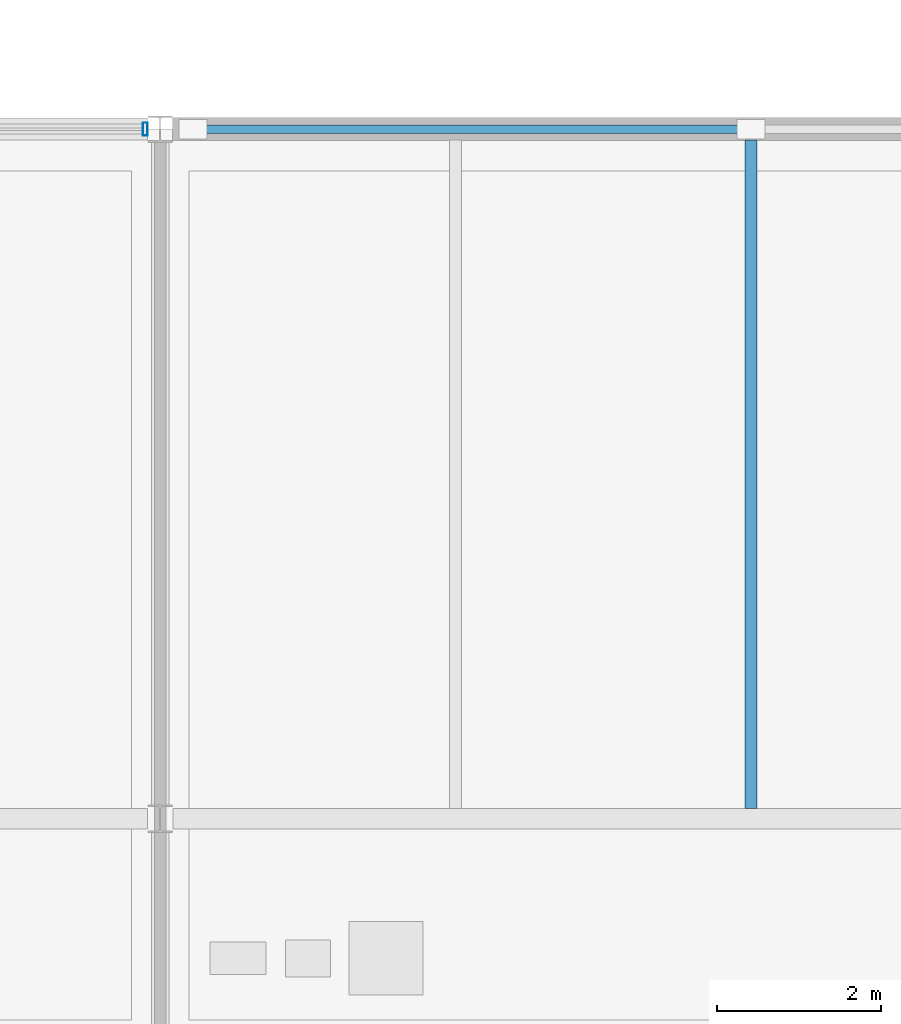
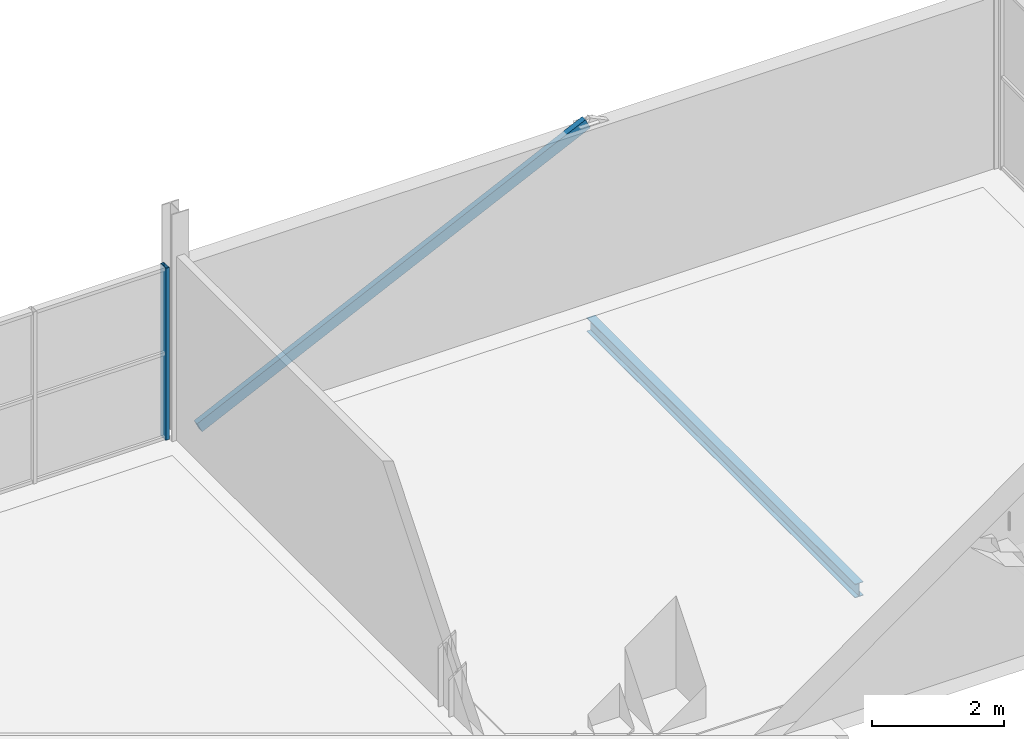
# One storey, part 64 of 93: 2 members, 1 beam, 1 element without a shape of its own.
"""IFC4 building model written with IfcOpenShell, lengths in metres."""

from ifc_helpers import new_model, si_unit, direction, frame, origin, origin_2d, place, context, subcontext, project, spatial, hollow_rectangle, i_section, extrude, material, material_profile, profile_set, type_object, element, aggregate, save


model = new_model("IFC4")

# Units and contexts
model_context = context("Model", 3, precision=1e-05, world=origin(), true_north=direction((0.0, 1.0)))
body_context = subcontext(model_context, "Body", "Model", "MODEL_VIEW")
ifc_project = project(units=[si_unit("LENGTHUNIT", "METRE"), si_unit("AREAUNIT", "SQUARE_METRE"), si_unit("VOLUMEUNIT", "CUBIC_METRE"), si_unit("PLANEANGLEUNIT", "RADIAN"), si_unit("MASSUNIT", "GRAM", prefix="KILO"), si_unit("THERMODYNAMICTEMPERATUREUNIT", "KELVIN")], contexts=[model_context])

# Site, building, storey
site_placement = place(None, origin())
site = spatial("IfcSite", under=ifc_project, at=site_placement, CompositionType="ELEMENT")
building_placement = place(site_placement, origin())
building = spatial("IfcBuilding", under=site, at=building_placement, Name="Nduvali Passage Aquatics Centre", CompositionType="ELEMENT")
storey_placement = place(building_placement, frame((0.0, 0.0, 9.0)))
storey = spatial("IfcBuildingStorey", under=building, at=storey_placement, Name="L02", CompositionType="ELEMENT", Elevation=9.0)

# Curtain wall, member
ifc_material_1 = material(Name="Aluminium EN AW-6063 T6", Category="aluminium")
curtain_wall_type = type_object("IfcCurtainWallType", Name="ENV-CW-WELL", PredefinedType="NOTDEFINED", material=ifc_material_1)
curtain_wall_placement = place(storey_placement, origin())
curtain_wall = element("IfcCurtainWall", 1, at=curtain_wall_placement, inside=storey, type_object=curtain_wall_type, Name="L02 North Avenue Clinic CW 113", PredefinedType="NOTDEFINED")
ifc_material_profile_1 = material_profile(ifc_material_1, hollow_rectangle(XDim=0.06005859375, YDim=0.159912109375, WallThickness=0.00390625, at=origin_2d()), Name="ALU MULLION 60x160x4")
ifc_profile_set_1 = profile_set([ifc_material_profile_1], Name="Aluminium EN AW-6063 T6")
member_type_1 = type_object("IfcMemberType", Name="ENV-MEM-MUL60", PredefinedType="MULLION", material=ifc_profile_set_1)
member_1_placement = place(storey_placement, frame((111.419921875, 117.60009765625, 0.0), z_axis=(0.0, 0.0, 1.0), x_axis=(1.0, 0.0, 0.0)))
member_1 = element("IfcMember", 2, at=member_1_placement, type_object=member_type_1, Name="North Avenue Clinic CW Mullion 7", PredefinedType="MULLION", context=body_context, shape_type="SweptSolid", body=[
    extrude(hollow_rectangle(XDim=0.06005859375, YDim=0.159912109375, WallThickness=0.00390625, at=origin_2d()), origin(), (0.0, 0.0, 1.0), 3.183837890625),
])
aggregate(curtain_wall, [member_1])

# Beam
ifc_material_2 = material(Name="Steel S355", Category="steel")
ifc_material_profile_2 = material_profile(ifc_material_2, i_section(OverallWidth=0.146484375, OverallDepth=0.256103515625, WebThickness=0.00634765625, FlangeThickness=0.010986328125, FilletRadius=0.007568359375, at=origin_2d()), Name="UKB 254x146x37")
ifc_profile_set_2 = profile_set([ifc_material_profile_2], Name="Steel S355")
beam_type = type_object("IfcBeamType", Name="STR-JST-UKB254", PredefinedType="JOIST", material=ifc_profile_set_2)
beam_placement = place(storey_placement, frame((118.800048828125, 109.326904296875, -0.39208984375), z_axis=(0.0, 1.0, 0.0), x_axis=(-1.0, 0.0, 0.0)))
element("IfcBeam", 3, at=beam_placement, inside=storey, type_object=beam_type, Name="L02 Secondary Joist J4-1199", PredefinedType="JOIST", context=body_context, shape_type="SweptSolid", body=[
    extrude(i_section(OverallWidth=0.146484375, OverallDepth=0.256103515625, WebThickness=0.00634765625, FlangeThickness=0.010986328125, FilletRadius=0.007568359375, at=origin_2d()), origin(), (0.0, 0.0, 1.0), 8.139892578125),
])

# Member
ifc_material_profile_3 = material_profile(ifc_material_2, hollow_rectangle(XDim=0.10009765625, YDim=0.199951171875, WallThickness=0.00634765625, at=origin_2d()), Name="RHS 200x100x6.3")
ifc_profile_set_3 = profile_set([ifc_material_profile_3], Name="Steel S355")
member_type_2 = type_object("IfcMemberType", Name="STR-MEM-RHS200", PredefinedType="BRACE", material=ifc_profile_set_3)
member_2_placement = place(storey_placement, frame((112.0, 117.60009765625, 0.0), z_axis=(0.902247666289, 0.0, 0.431218214686), x_axis=(0.0, 1.0, 0.0)))
element("IfcMember", 4, at=member_2_placement, inside=storey, type_object=member_type_2, Name="L02 Chevron Frame Brace 7L", PredefinedType="BRACE", context=body_context, shape_type="SweptSolid", body=[
    extrude(hollow_rectangle(XDim=0.10009765625, YDim=0.199951171875, WallThickness=0.00634765625, at=origin_2d()), origin(), (0.0, 0.0, 1.0), 7.536865234375),
])

save(model, "model.ifc")
